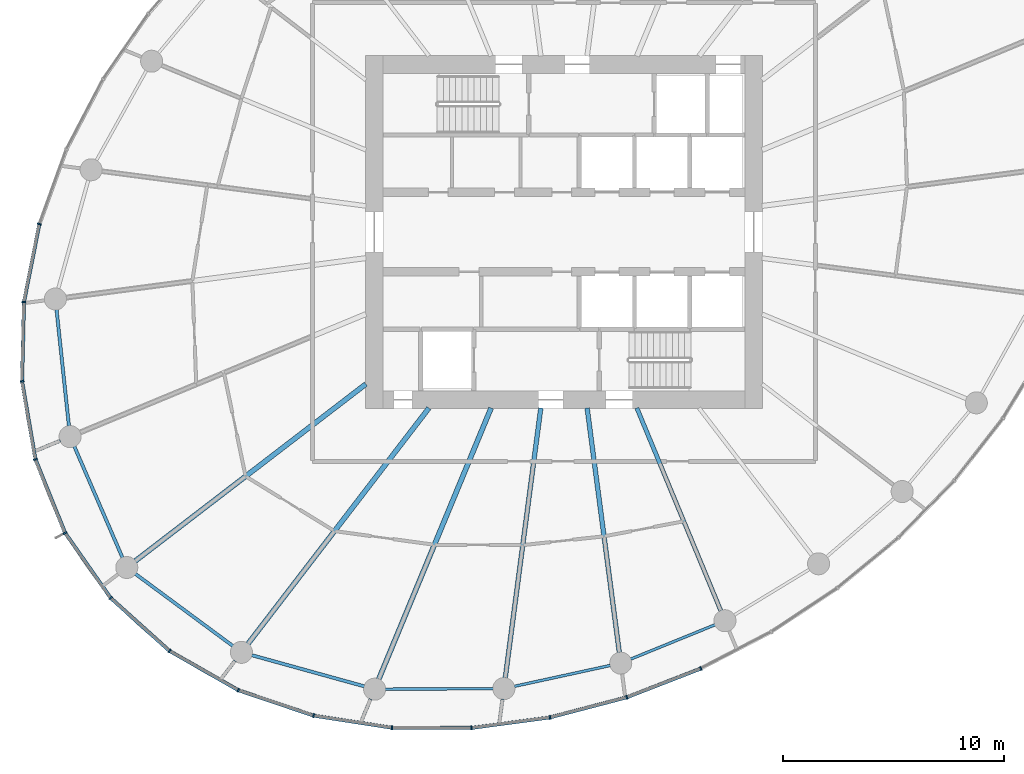
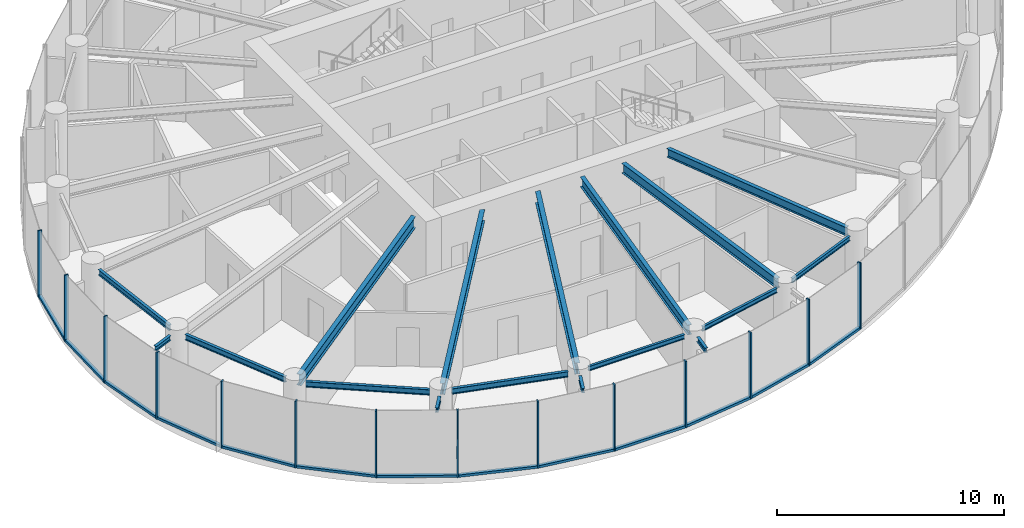
# One storey, part 2 of 15: 27 members, 17 beams, 3 elements without a shape of their own.
"""IFC4 building model written with IfcOpenShell, lengths in metres."""

from ifc_helpers import new_model, si_unit, direction, frame, origin, origin_2d, place, context, subcontext, project, spatial, rectangle, i_section, extrude, source, transform, mapped, material, layer, layer_set, material_profile, profile_set, type_object, element, aggregate, save


model = new_model("IFC4")

# Units and contexts
model_context = context("Model", 3, precision=1e-05, world=origin(), true_north=direction((0.0, 1.0)))
body_context = subcontext(model_context, "Body", "Model", "MODEL_VIEW")
ifc_project = project(units=[si_unit("LENGTHUNIT", "METRE"), si_unit("AREAUNIT", "SQUARE_METRE"), si_unit("VOLUMEUNIT", "CUBIC_METRE"), si_unit("PLANEANGLEUNIT", "RADIAN"), si_unit("MASSUNIT", "GRAM", prefix="KILO")], contexts=[model_context])

# Site, building, storey
site_placement = place(None, origin())
site = spatial("IfcSite", under=ifc_project, at=site_placement, CompositionType="ELEMENT")
building_placement = place(site_placement, origin())
building = spatial("IfcBuilding", under=site, at=building_placement, Name="Spindrift Exchange Tower", CompositionType="ELEMENT")
storey_placement = place(building_placement, frame((0.0, 0.0, 168.199951171875)))
storey = spatial("IfcBuildingStorey", under=building, at=storey_placement, Name="L40", CompositionType="ELEMENT", Elevation=168.199951171875)

# Beams
ifc_material_1 = material(Name="Steel Grade 300", Category="steel")
ifc_material_profile_1 = material_profile(ifc_material_1, i_section(OverallWidth=0.14892578125, OverallDepth=0.298095703125, WebThickness=0.005615234375, FlangeThickness=0.008056640625, FilletRadius=0.012939453125, at=origin_2d()), Name="310UB32.0")
ifc_profile_set_1 = profile_set([ifc_material_profile_1], Name="Steel Grade 300")
beam_type_1 = type_object("IfcBeamType", Name="Edge Beam 310UB32.0 Steel Grade 300", PredefinedType="SPANDREL", material=ifc_profile_set_1)
shared_shape_1 = source(origin(), body_context, "Body", "SweptSolid", [
    extrude(i_section(OverallWidth=0.14892578125, OverallDepth=0.298095703125, WebThickness=0.005615234375, FlangeThickness=0.008056640625, FilletRadius=0.012939453125, at=origin_2d()), origin(), (0.0, 0.0, 1.0), 5.31640625),
])
beam_1_placement = place(storey_placement, frame((28.989013671875, 44.486572265625, 3.43115234375), z_axis=(0.10598990948, -0.994367205357, 0.0), x_axis=(0.994367205357, 0.10598990948, 0.0)))
element("IfcBeam", 1, at=beam_1_placement, inside=storey, type_object=beam_type_1, Name="L40 edge beam E13", PredefinedType="SPANDREL", context=body_context, shape_type="MappedRepresentation", body=[
    mapped(shared_shape_1, transform((0.0, 0.0, 0.0), scale=1.0)),
])
shared_shape_2 = source(origin(), body_context, "Body", "SweptSolid", [
    extrude(i_section(OverallWidth=0.14892578125, OverallDepth=0.298095703125, WebThickness=0.005615234375, FlangeThickness=0.008056640625, FilletRadius=0.012939453125, at=origin_2d()), origin(), (0.0, 0.0, 1.0), 5.508544921875),
])
beam_2_placement = place(storey_placement, frame((29.794189453125, 38.282470703125, 3.43115234375), z_axis=(0.397414644433, -0.917639144975, 0.0), x_axis=(0.917639144975, 0.397414644433, 0.0)))
element("IfcBeam", 2, at=beam_2_placement, inside=storey, type_object=beam_type_1, Name="L40 edge beam E14", PredefinedType="SPANDREL", context=body_context, shape_type="MappedRepresentation", body=[
    mapped(shared_shape_2, transform((0.0, 0.0, 0.0), scale=1.0)),
])
shared_shape_3 = source(origin(), body_context, "Body", "SweptSolid", [
    extrude(i_section(OverallWidth=0.14892578125, OverallDepth=0.298095703125, WebThickness=0.005615234375, FlangeThickness=0.008056640625, FilletRadius=0.012939453125, at=origin_2d()), origin(), (0.0, 0.0, 1.0), 5.509033203125),
])
beam_3_placement = place(storey_placement, frame((32.56005859375, 32.501708984375, 3.43115234375), z_axis=(0.803991901791, -0.594640245741, 0.0), x_axis=(0.594640245741, 0.803991901791, 0.0)))
element("IfcBeam", 3, at=beam_3_placement, inside=storey, type_object=beam_type_1, Name="L40 edge beam E15", PredefinedType="SPANDREL", context=body_context, shape_type="MappedRepresentation", body=[
    mapped(shared_shape_3, transform((0.0, 0.0, 0.0), scale=1.0)),
])
shared_shape_4 = source(origin(), body_context, "Body", "SweptSolid", [
    extrude(i_section(OverallWidth=0.14892578125, OverallDepth=0.298095703125, WebThickness=0.005615234375, FlangeThickness=0.008056640625, FilletRadius=0.012939453125, at=origin_2d()), origin(), (0.0, 0.0, 1.0), 5.30517578125),
])
beam_4_placement = place(storey_placement, frame((37.837646484375, 28.8125, 3.43115234375), z_axis=(0.963757513624, -0.26677978734, 0.0), x_axis=(0.26677978734, 0.963757513624, 0.0)))
element("IfcBeam", 4, at=beam_4_placement, inside=storey, type_object=beam_type_1, Name="L40 edge beam E16", PredefinedType="SPANDREL", context=body_context, shape_type="MappedRepresentation", body=[
    mapped(shared_shape_4, transform((0.0, 0.0, 0.0), scale=1.0)),
])
ifc_material_profile_2 = material_profile(ifc_material_1, i_section(OverallWidth=0.1240234375, OverallDepth=0.248046875, WebThickness=0.0048828125, FlangeThickness=0.008056640625, FilletRadius=0.011962890625, at=origin_2d()), Name="250UB25.7")
ifc_profile_set_2 = profile_set([ifc_material_profile_2], Name="Steel Grade 300")
beam_type_2 = type_object("IfcBeamType", Name="Edge Beam 250UB25.7 Steel Grade 300", PredefinedType="SPANDREL", material=ifc_profile_set_2)
shared_shape_5 = source(origin(), body_context, "Body", "SweptSolid", [
    extrude(i_section(OverallWidth=0.1240234375, OverallDepth=0.248046875, WebThickness=0.0048828125, FlangeThickness=0.008056640625, FilletRadius=0.011962890625, at=origin_2d()), origin(), (0.0, 0.0, 1.0), 4.901123046875),
])
beam_5_placement = place(storey_placement, frame((43.89306640625, 27.271240234375, 3.4560546875), z_axis=(0.999990609444, 0.004333707747, 0.0), x_axis=(-0.004333707747, 0.999990609444, 0.0)))
element("IfcBeam", 5, at=beam_5_placement, inside=storey, type_object=beam_type_2, Name="L40 edge beam E17", PredefinedType="SPANDREL", context=body_context, shape_type="MappedRepresentation", body=[
    mapped(shared_shape_5, transform((0.0, 0.0, 0.0), scale=1.0)),
])
shared_shape_6 = source(origin(), body_context, "Body", "SweptSolid", [
    extrude(i_section(OverallWidth=0.1240234375, OverallDepth=0.248046875, WebThickness=0.0048828125, FlangeThickness=0.008056640625, FilletRadius=0.011962890625, at=origin_2d()), origin(), (0.0, 0.0, 1.0), 4.464111328125),
])
beam_6_placement = place(storey_placement, frame((49.7431640625, 27.396728515625, 3.4560546875), z_axis=(0.977095837978, 0.212799726048, 0.0), x_axis=(-0.212799726048, 0.977095837978, 0.0)))
element("IfcBeam", 6, at=beam_6_placement, inside=storey, type_object=beam_type_2, Name="L40 edge beam E18", PredefinedType="SPANDREL", context=body_context, shape_type="MappedRepresentation", body=[
    mapped(shared_shape_6, transform((0.0, 0.0, 0.0), scale=1.0)),
])
shared_shape_7 = source(origin(), body_context, "Body", "SweptSolid", [
    extrude(i_section(OverallWidth=0.1240234375, OverallDepth=0.248046875, WebThickness=0.0048828125, FlangeThickness=0.008056640625, FilletRadius=0.011962890625, at=origin_2d()), origin(), (0.0, 0.0, 1.0), 4.143798828125),
])
beam_7_placement = place(storey_placement, frame((55.0185546875, 28.6298828125, 3.4560546875), z_axis=(0.926113706975, 0.377244485385, 0.0), x_axis=(-0.377244485385, 0.926113706975, 0.0)))
element("IfcBeam", 7, at=beam_7_placement, inside=storey, type_object=beam_type_2, Name="L40 edge beam E19", PredefinedType="SPANDREL", context=body_context, shape_type="MappedRepresentation", body=[
    mapped(shared_shape_7, transform((0.0, 0.0, 0.0), scale=1.0)),
])
ifc_material_profile_3 = material_profile(ifc_material_1, i_section(OverallWidth=0.22802734375, OverallDepth=0.60205078125, WebThickness=0.010498046875, FlangeThickness=0.014892578125, FilletRadius=0.013916015625, at=origin_2d()), Name="610UB101")
ifc_profile_set_3 = profile_set([ifc_material_profile_3], Name="Steel Grade 300")
beam_type_3 = type_object("IfcBeamType", Name="Floor Beam 610UB101 Steel Grade 300", PredefinedType="BEAM", material=ifc_profile_set_3)
shared_shape_8 = source(origin(), body_context, "Body", "SweptSolid", [
    extrude(i_section(OverallWidth=0.22802734375, OverallDepth=0.60205078125, WebThickness=0.010498046875, FlangeThickness=0.014892578125, FilletRadius=0.013916015625, at=origin_2d()), origin(), (0.0, 0.0, 1.0), 13.185546875),
])
beam_8_placement = place(storey_placement, frame((43.015869140625, 41.106201171875, 3.279052734375), z_axis=(-0.793357156703, -0.608756455332, 0.0), x_axis=(0.608756455332, -0.793357156703, 0.0)))
element("IfcBeam", 8, at=beam_8_placement, inside=storey, type_object=beam_type_3, Name="L40 radial beam R15A", PredefinedType="BEAM", context=body_context, shape_type="MappedRepresentation", body=[
    mapped(shared_shape_8, transform((0.0, 0.0, 0.0), scale=1.0)),
])
shared_shape_9 = source(origin(), body_context, "Body", "SweptSolid", [
    extrude(i_section(OverallWidth=0.22802734375, OverallDepth=0.60205078125, WebThickness=0.010498046875, FlangeThickness=0.014892578125, FilletRadius=0.013916015625, at=origin_2d()), origin(), (0.0, 0.0, 1.0), 13.480224609375),
])
beam_9_placement = place(storey_placement, frame((45.87353515625, 40.015869140625, 3.279052734375), z_axis=(-0.608764179541, -0.793351229726, 0.0), x_axis=(0.793351229726, -0.608764179541, 0.0)))
element("IfcBeam", 9, at=beam_9_placement, inside=storey, type_object=beam_type_3, Name="L40 radial beam R16A", PredefinedType="BEAM", context=body_context, shape_type="MappedRepresentation", body=[
    mapped(shared_shape_9, transform((0.0, 0.0, 0.0), scale=1.0)),
])
shared_shape_10 = source(origin(), body_context, "Body", "SweptSolid", [
    extrude(i_section(OverallWidth=0.22802734375, OverallDepth=0.60205078125, WebThickness=0.010498046875, FlangeThickness=0.014892578125, FilletRadius=0.013916015625, at=origin_2d()), origin(), (0.0, 0.0, 1.0), 13.31982421875),
])
beam_10_placement = place(storey_placement, frame((48.69384765625, 40.0185546875, 3.279052734375), z_axis=(-0.382676632888, -0.923882348918, 0.0), x_axis=(0.923882348918, -0.382676632888, 0.0)))
element("IfcBeam", 10, at=beam_10_placement, inside=storey, type_object=beam_type_3, Name="L40 radial beam R17A", PredefinedType="BEAM", context=body_context, shape_type="MappedRepresentation", body=[
    mapped(shared_shape_10, transform((0.0, 0.0, 0.0), scale=1.0)),
])
ifc_material_profile_4 = material_profile(ifc_material_1, i_section(OverallWidth=0.208984375, OverallDepth=0.528076171875, WebThickness=0.009521484375, FlangeThickness=0.01318359375, FilletRadius=0.013916015625, at=origin_2d()), Name="530UB82.0")
ifc_profile_set_4 = profile_set([ifc_material_profile_4], Name="Steel Grade 300")
beam_type_4 = type_object("IfcBeamType", Name="Floor Beam 530UB82.0 Steel Grade 300", PredefinedType="BEAM", material=ifc_profile_set_4)
shared_shape_11 = source(origin(), body_context, "Body", "SweptSolid", [
    extrude(i_section(OverallWidth=0.208984375, OverallDepth=0.528076171875, WebThickness=0.009521484375, FlangeThickness=0.01318359375, FilletRadius=0.013916015625, at=origin_2d()), origin(), (0.0, 0.0, 1.0), 12.35498046875),
])
beam_11_placement = place(storey_placement, frame((50.949462890625, 40.019775390625, 3.316162109375), z_axis=(-0.130537831721, -0.991443328935, 0.0), x_axis=(0.991443328935, -0.130537831721, 0.0)))
element("IfcBeam", 11, at=beam_11_placement, inside=storey, type_object=beam_type_4, Name="L40 radial beam R18A", PredefinedType="BEAM", context=body_context, shape_type="MappedRepresentation", body=[
    mapped(shared_shape_11, transform((0.0, 0.0, 0.0), scale=1.0)),
])
shared_shape_12 = source(origin(), body_context, "Body", "SweptSolid", [
    extrude(i_section(OverallWidth=0.208984375, OverallDepth=0.528076171875, WebThickness=0.009521484375, FlangeThickness=0.01318359375, FilletRadius=0.013916015625, at=origin_2d()), origin(), (0.0, 0.0, 1.0), 11.19091796875),
])
beam_12_placement = place(storey_placement, frame((53.050537109375, 40.019775390625, 3.316162109375), z_axis=(0.130524489434, -0.991445085548, 0.0), x_axis=(0.991445085548, 0.130524489434, 0.0)))
element("IfcBeam", 12, at=beam_12_placement, inside=storey, type_object=beam_type_4, Name="L40 radial beam R19A", PredefinedType="BEAM", context=body_context, shape_type="MappedRepresentation", body=[
    mapped(shared_shape_12, transform((0.0, 0.0, 0.0), scale=1.0)),
])
ifc_material_profile_5 = material_profile(ifc_material_1, i_section(OverallWidth=0.18994140625, OverallDepth=0.4541015625, WebThickness=0.008544921875, FlangeThickness=0.0126953125, FilletRadius=0.013916015625, at=origin_2d()), Name="460UB67.1")
ifc_profile_set_5 = profile_set([ifc_material_profile_5], Name="Steel Grade 300")
beam_type_5 = type_object("IfcBeamType", Name="Floor Beam 460UB67.1 Steel Grade 300", PredefinedType="BEAM", material=ifc_profile_set_5)
shared_shape_13 = source(origin(), body_context, "Body", "SweptSolid", [
    extrude(i_section(OverallWidth=0.18994140625, OverallDepth=0.4541015625, WebThickness=0.008544921875, FlangeThickness=0.0126953125, FilletRadius=0.013916015625, at=origin_2d()), origin(), (0.0, 0.0, 1.0), 9.958984375),
])
beam_13_placement = place(storey_placement, frame((55.30615234375, 40.0185546875, 3.35302734375), z_axis=(0.382673670509, -0.923883575944, 0.0), x_axis=(0.923883575944, 0.382673670509, 0.0)))
element("IfcBeam", 13, at=beam_13_placement, inside=storey, type_object=beam_type_5, Name="L40 radial beam R20A", PredefinedType="BEAM", context=body_context, shape_type="MappedRepresentation", body=[
    mapped(shared_shape_13, transform((0.0, 0.0, 0.0), scale=1.0)),
])
ifc_material_profile_6 = material_profile(ifc_material_1, i_section(OverallWidth=0.14599609375, OverallDepth=0.251953125, WebThickness=0.006103515625, FlangeThickness=0.008544921875, FilletRadius=0.011962890625, at=origin_2d()), Name="250UB31.4")
ifc_profile_set_6 = profile_set([ifc_material_profile_6], Name="Steel Grade 300")
beam_type_6 = type_object("IfcBeamType", Name="Cantilever Beam 250UB31.4 Steel Grade 300", PredefinedType="BEAM", material=ifc_profile_set_6)
shared_shape_14 = source(origin(), body_context, "Body", "SweptSolid", [
    extrude(i_section(OverallWidth=0.14599609375, OverallDepth=0.251953125, WebThickness=0.006103515625, FlangeThickness=0.008544921875, FilletRadius=0.011962890625, at=origin_2d()), origin(), (0.0, 0.0, 1.0), 1.095458984375),
])
beam_14_placement = place(storey_placement, frame((29.159912109375, 38.539306640625, 3.4541015625), z_axis=(-0.923872851141, -0.382699562222, 0.0), x_axis=(0.382699562222, -0.923872851141, 0.0)))
element("IfcBeam", 14, at=beam_14_placement, inside=storey, type_object=beam_type_6, Name="L40 cantilever beam R14T", PredefinedType="BEAM", context=body_context, shape_type="MappedRepresentation", body=[
    mapped(shared_shape_14, transform((0.0, 0.0, 0.0), scale=1.0)),
])
shared_shape_15 = source(origin(), body_context, "Body", "SweptSolid", [
    extrude(i_section(OverallWidth=0.14599609375, OverallDepth=0.251953125, WebThickness=0.006103515625, FlangeThickness=0.008544921875, FilletRadius=0.011962890625, at=origin_2d()), origin(), (0.0, 0.0, 1.0), 0.93408203125),
])
beam_15_placement = place(storey_placement, frame((37.0830078125, 28.559814453125, 3.4541015625), z_axis=(-0.608788178912, -0.793332813652, 0.0), x_axis=(0.793332813652, -0.608788178912, 0.0)))
element("IfcBeam", 15, at=beam_15_placement, inside=storey, type_object=beam_type_6, Name="L40 cantilever beam R16T", PredefinedType="BEAM", context=body_context, shape_type="MappedRepresentation", body=[
    mapped(shared_shape_15, transform((0.0, 0.0, 0.0), scale=1.0)),
])
shared_shape_16 = source(origin(), body_context, "Body", "SweptSolid", [
    extrude(i_section(OverallWidth=0.14599609375, OverallDepth=0.251953125, WebThickness=0.006103515625, FlangeThickness=0.008544921875, FilletRadius=0.011962890625, at=origin_2d()), origin(), (0.0, 0.0, 1.0), 1.010009765625),
])
beam_16_placement = place(storey_placement, frame((43.229248046875, 26.82568359375, 3.4541015625), z_axis=(-0.38265779885, -0.923890149844, 0.0), x_axis=(0.923890149844, -0.38265779885, 0.0)))
element("IfcBeam", 16, at=beam_16_placement, inside=storey, type_object=beam_type_6, Name="L40 cantilever beam R17T", PredefinedType="BEAM", context=body_context, shape_type="MappedRepresentation", body=[
    mapped(shared_shape_16, transform((0.0, 0.0, 0.0), scale=1.0)),
])
shared_shape_17 = source(origin(), body_context, "Body", "SweptSolid", [
    extrude(i_section(OverallWidth=0.14599609375, OverallDepth=0.251953125, WebThickness=0.006103515625, FlangeThickness=0.008544921875, FilletRadius=0.011962890625, at=origin_2d()), origin(), (0.0, 0.0, 1.0), 0.966796875),
])
beam_17_placement = place(storey_placement, frame((49.21142578125, 26.81884765625, 3.4541015625), z_axis=(-0.130559031548, -0.991440537441, 0.0), x_axis=(0.991440537441, -0.130559031548, 0.0)))
element("IfcBeam", 17, at=beam_17_placement, inside=storey, type_object=beam_type_6, Name="L40 cantilever beam R18T", PredefinedType="BEAM", context=body_context, shape_type="MappedRepresentation", body=[
    mapped(shared_shape_17, transform((0.0, 0.0, 0.0), scale=1.0)),
])

# Curtain wall, members
ifc_material_2 = material(Name="Fritted laminated glass with bronze frame", Category="glass")
ifc_layer = layer(ifc_material_2, 0.179931640625)
ifc_layer_set = layer_set([ifc_layer], Name="ZONE 3 BRONZE FRITTED WALL")
curtain_wall_type = type_object("IfcCurtainWallType", Name="ZONE 3 BRONZE FRITTED WALL", PredefinedType="NOTDEFINED", material=ifc_layer_set)
curtain_wall_1_placement = place(storey_placement, origin())
curtain_wall_1 = element("IfcCurtainWall", 18, at=curtain_wall_1_placement, inside=storey, type_object=curtain_wall_type, Name="L40 Zone 3 Bronze Fritted Wall run 5", PredefinedType="NOTDEFINED")
ifc_material_3 = material(Name="Bronze anodised aluminium", Category="aluminium")
ifc_material_profile_7 = material_profile(ifc_material_3, rectangle(XDim=0.159912109375, YDim=0.1298828125, at=origin_2d()), Name="ZONE 3 BRONZE FRITTED WALL TRANSOM 160X130")
ifc_profile_set_7 = profile_set([ifc_material_profile_7], Name="Bronze anodised aluminium")
member_type_1 = type_object("IfcMemberType", Name="ZONE 3 BRONZE FRITTED WALL TRANSOM 160X130", PredefinedType="USERDEFINED", material=ifc_profile_set_7)
shared_shape_18 = source(origin(), body_context, "Body", "SweptSolid", [
    extrude(rectangle(XDim=0.159912109375, YDim=0.1298828125, at=origin_2d()), origin(), (0.0, 0.0, 1.0), 3.531005859375),
])
member_1_placement = place(storey_placement, frame((54.8837890625, 26.91455078125, 0.06494140625), z_axis=(0.932191401719, 0.361965731197, 0.0), x_axis=(-0.361965731197, 0.932191401719, 0.0)))
member_1 = element("IfcMember", 19, at=member_1_placement, type_object=member_type_1, Name="L40 transom CW-3.29", ObjectType="TRANSOM", PredefinedType="USERDEFINED", context=body_context, shape_type="MappedRepresentation", body=[
    mapped(shared_shape_18, transform((0.0, 0.0, 0.0), scale=1.0)),
])
shared_shape_19 = source(origin(), body_context, "Body", "SweptSolid", [
    extrude(rectangle(XDim=0.159912109375, YDim=0.1298828125, at=origin_2d()), origin(), (0.0, 0.0, 1.0), 3.5302734375),
])
member_2_placement = place(storey_placement, frame((47.83447265625, 25.517333984375, 0.06494140625), z_axis=(0.991172850942, 0.132575938826, 0.0), x_axis=(-0.132575938826, 0.991172850942, 0.0)))
member_2 = element("IfcMember", 20, at=member_2_placement, type_object=member_type_1, Name="L40 transom CW-3.27", ObjectType="TRANSOM", PredefinedType="USERDEFINED", context=body_context, shape_type="MappedRepresentation", body=[
    mapped(shared_shape_19, transform((0.0, 0.0, 0.0), scale=1.0)),
])
member_3_placement = place(storey_placement, frame((51.402099609375, 25.998779296875, 0.06494140625), z_axis=(0.967402483042, 0.253243826785, 0.0), x_axis=(-0.253243826785, 0.967402483042, 0.0)))
member_3 = element("IfcMember", 21, at=member_3_placement, type_object=member_type_1, Name="L40 transom CW-3.28", ObjectType="TRANSOM", PredefinedType="USERDEFINED", context=body_context, shape_type="MappedRepresentation", body=[
    mapped(shared_shape_19, transform((0.0, 0.0, 0.0), scale=1.0)),
])
shared_shape_20 = source(origin(), body_context, "Body", "SweptSolid", [
    extrude(rectangle(XDim=0.159912109375, YDim=0.1298828125, at=origin_2d()), origin(), (0.0, 0.0, 1.0), 3.52880859375),
])
member_4_placement = place(storey_placement, frame((40.6787109375, 26.067138671875, 0.06494140625), z_axis=(0.988198292077, -0.15318007552, 0.0), x_axis=(0.15318007552, 0.988198292077, 0.0)))
member_4 = element("IfcMember", 22, at=member_4_placement, type_object=member_type_1, Name="L40 transom CW-3.25", ObjectType="TRANSOM", PredefinedType="USERDEFINED", context=body_context, shape_type="MappedRepresentation", body=[
    mapped(shared_shape_20, transform((0.0, 0.0, 0.0), scale=1.0)),
])

curtain_wall_2_placement = place(storey_placement, origin())
curtain_wall_2 = element("IfcCurtainWall", 23, at=curtain_wall_2_placement, inside=storey, type_object=curtain_wall_type, Name="L40 Zone 3 Bronze Fritted Wall run 4", PredefinedType="NOTDEFINED")
shared_shape_21 = source(origin(), body_context, "Body", "SweptSolid", [
    extrude(rectangle(XDim=0.159912109375, YDim=0.1298828125, at=origin_2d()), origin(), (0.0, 0.0, 1.0), 3.5263671875),
])
member_5_placement = place(storey_placement, frame((34.14208984375, 28.987060546875, 0.06494140625), z_axis=(0.868451827721, -0.495773560133, 0.0), x_axis=(0.495773560133, 0.868451827721, 0.0)))
member_5 = element("IfcMember", 24, at=member_5_placement, type_object=member_type_1, Name="L40 transom CW-3.23", ObjectType="TRANSOM", PredefinedType="USERDEFINED", context=body_context, shape_type="MappedRepresentation", body=[
    mapped(shared_shape_21, transform((0.0, 0.0, 0.0), scale=1.0)),
])
shared_shape_22 = source(origin(), body_context, "Body", "SweptSolid", [
    extrude(rectangle(XDim=0.159912109375, YDim=0.1298828125, at=origin_2d()), origin(), (0.0, 0.0, 1.0), 3.52490234375),
])
member_6_placement = place(storey_placement, frame((28.044921875, 37.655029296875, 0.06494140625), z_axis=(0.374421823316, -0.927258485119, 0.0), x_axis=(0.927258485119, 0.374421823316, 0.0)))
member_6 = element("IfcMember", 25, at=member_6_placement, type_object=member_type_1, Name="L40 transom CW-3.20", ObjectType="TRANSOM", PredefinedType="USERDEFINED", context=body_context, shape_type="MappedRepresentation", body=[
    mapped(shared_shape_22, transform((0.0, 0.0, 0.0), scale=1.0)),
])
shared_shape_23 = source(origin(), body_context, "Body", "SweptSolid", [
    extrude(rectangle(XDim=0.159912109375, YDim=0.1298828125, at=origin_2d()), origin(), (0.0, 0.0, 1.0), 3.525146484375),
])
member_7_placement = place(storey_placement, frame((31.465576171875, 31.385986328125, 0.06494140625), z_axis=(0.743287258575, -0.668972384512, 0.0), x_axis=(0.668972384512, 0.743287258575, 0.0)))
member_7 = element("IfcMember", 26, at=member_7_placement, type_object=member_type_1, Name="L40 transom CW-3.22", ObjectType="TRANSOM", PredefinedType="USERDEFINED", context=body_context, shape_type="MappedRepresentation", body=[
    mapped(shared_shape_23, transform((0.0, 0.0, 0.0), scale=1.0)),
])

curtain_wall_3_placement = place(storey_placement, origin())
curtain_wall_3 = element("IfcCurtainWall", 27, at=curtain_wall_3_placement, inside=storey, type_object=curtain_wall_type, Name="L40 Zone 3 Bronze Fritted Wall run 3", PredefinedType="NOTDEFINED")
ifc_material_profile_8 = material_profile(ifc_material_3, rectangle(XDim=0.070068359375, YDim=0.179931640625, at=origin_2d()), Name="ZONE 3 BRONZE FRITTED WALL MULLION 70X180")
ifc_profile_set_8 = profile_set([ifc_material_profile_8], Name="Bronze anodised aluminium")
member_type_2 = type_object("IfcMemberType", Name="ZONE 3 BRONZE FRITTED WALL MULLION 70X180", PredefinedType="MULLION", material=ifc_profile_set_8)
shared_shape_24 = source(origin(), body_context, "Body", "SweptSolid", [
    extrude(rectangle(XDim=0.070068359375, YDim=0.179931640625, at=origin_2d()), origin(), (0.0, 0.0, 1.0), 3.580078125),
])
member_8_placement = place(storey_placement, frame((28.209228515625, 48.35888671875, 0.0), z_axis=(0.0, 0.0, 1.0), x_axis=(-0.267685767176, -0.963506268818, 0.0)))
member_8 = element("IfcMember", 28, at=member_8_placement, type_object=member_type_2, Name="L40 mullion CW-3.17", PredefinedType="MULLION", context=body_context, shape_type="MappedRepresentation", body=[
    mapped(shared_shape_24, transform((0.0, 0.0, 0.0), scale=1.0)),
])
member_9_placement = place(storey_placement, frame((27.510986328125, 44.82861328125, 0.0), z_axis=(0.0, 0.0, 1.0), x_axis=(-0.10940505426, -0.993997250551, 0.0)))
member_9 = element("IfcMember", 29, at=member_9_placement, type_object=member_type_2, Name="L40 mullion CW-3.18", PredefinedType="MULLION", context=body_context, shape_type="MappedRepresentation", body=[
    mapped(shared_shape_24, transform((0.0, 0.0, 0.0), scale=1.0)),
])

# Member
member_10_placement = place(storey_placement, frame((27.4248046875, 41.232177734375, 0.0), z_axis=(0.0, 0.0, 1.0), x_axis=(0.072755065044, -0.997349838577, 0.0)))
member_10 = element("IfcMember", 30, at=member_10_placement, type_object=member_type_2, Name="L40 mullion CW-3.19", PredefinedType="MULLION", context=body_context, shape_type="MappedRepresentation", body=[
    mapped(shared_shape_24, transform((0.0, 0.0, 0.0), scale=1.0)),
])

member_11_placement = place(storey_placement, frame((28.03173828125, 37.6875, 0.0), z_axis=(0.0, 0.0, 1.0), x_axis=(0.273171729389, -0.961965283294, 0.0)))
member_11 = element("IfcMember", 31, at=member_11_placement, type_object=member_type_2, Name="L40 mullion CW-3.20", PredefinedType="MULLION", context=body_context, shape_type="MappedRepresentation", body=[
    mapped(shared_shape_24, transform((0.0, 0.0, 0.0), scale=1.0)),
])

member_12_placement = place(storey_placement, frame((29.377685546875, 34.35400390625, 0.0), z_axis=(0.0, 0.0, 1.0), x_axis=(0.47706930889, -0.878865674899, 0.0)))
member_12 = element("IfcMember", 32, at=member_12_placement, type_object=member_type_2, Name="L40 mullion CW-3.21", PredefinedType="MULLION", context=body_context, shape_type="MappedRepresentation", body=[
    mapped(shared_shape_24, transform((0.0, 0.0, 0.0), scale=1.0)),
])

member_13_placement = place(storey_placement, frame((31.439697265625, 31.4091796875, 0.0), z_axis=(0.0, 0.0, 1.0), x_axis=(0.662692450368, -0.748891658536, 0.0)))
member_13 = element("IfcMember", 33, at=member_13_placement, type_object=member_type_2, Name="L40 mullion CW-3.22", PredefinedType="MULLION", context=body_context, shape_type="MappedRepresentation", body=[
    mapped(shared_shape_24, transform((0.0, 0.0, 0.0), scale=1.0)),
])

member_14_placement = place(storey_placement, frame((34.11181640625, 29.00439453125, 0.0), z_axis=(0.0, 0.0, 1.0), x_axis=(0.810523741259, -0.585705783526, 0.0)))
member_14 = element("IfcMember", 34, at=member_14_placement, type_object=member_type_2, Name="L40 mullion CW-3.23", PredefinedType="MULLION", context=body_context, shape_type="MappedRepresentation", body=[
    mapped(shared_shape_24, transform((0.0, 0.0, 0.0), scale=1.0)),
])

member_15_placement = place(storey_placement, frame((37.235107421875, 27.221435546875, 0.0), z_axis=(0.0, 0.0, 1.0), x_axis=(0.912318353787, -0.409481649581, 0.0)))
member_15 = element("IfcMember", 35, at=member_15_placement, type_object=member_type_2, Name="L40 mullion CW-3.24", PredefinedType="MULLION", context=body_context, shape_type="MappedRepresentation", body=[
    mapped(shared_shape_24, transform((0.0, 0.0, 0.0), scale=1.0)),
])

member_16_placement = place(storey_placement, frame((40.644287109375, 26.072509765625, 0.0), z_axis=(0.0, 0.0, 1.0), x_axis=(0.971470740381, -0.237159441269, 0.0)))
member_16 = element("IfcMember", 36, at=member_16_placement, type_object=member_type_2, Name="L40 mullion CW-3.25", PredefinedType="MULLION", context=body_context, shape_type="MappedRepresentation", body=[
    mapped(shared_shape_24, transform((0.0, 0.0, 0.0), scale=1.0)),
])

member_17_placement = place(storey_placement, frame((44.200439453125, 25.521240234375, 0.0), z_axis=(0.0, 0.0, 1.0), x_axis=(0.996954291191, -0.077988084191, 0.0)))
member_17 = element("IfcMember", 37, at=member_17_placement, type_object=member_type_2, Name="L40 mullion CW-3.26", PredefinedType="MULLION", context=body_context, shape_type="MappedRepresentation", body=[
    mapped(shared_shape_24, transform((0.0, 0.0, 0.0), scale=1.0)),
])

member_18_placement = place(storey_placement, frame((47.7998046875, 25.5126953125, 0.0), z_axis=(0.0, 0.0, 1.0), x_axis=(0.997869270043, 0.065245075698, 0.0)))
member_18 = element("IfcMember", 38, at=member_18_placement, type_object=member_type_2, Name="L40 mullion CW-3.27", PredefinedType="MULLION", context=body_context, shape_type="MappedRepresentation", body=[
    mapped(shared_shape_24, transform((0.0, 0.0, 0.0), scale=1.0)),
])

member_19_placement = place(storey_placement, frame((51.3681640625, 25.989990234375, 0.0), z_axis=(0.0, 0.0, 1.0), x_axis=(0.981143339741, 0.193281522351, 0.0)))
member_19 = element("IfcMember", 39, at=member_19_placement, type_object=member_type_2, Name="L40 mullion CW-3.28", PredefinedType="MULLION", context=body_context, shape_type="MappedRepresentation", body=[
    mapped(shared_shape_24, transform((0.0, 0.0, 0.0), scale=1.0)),
])

member_20_placement = place(storey_placement, frame((54.851318359375, 26.90185546875, 0.0), z_axis=(0.0, 0.0, 1.0), x_axis=(0.951344044145, 0.308130669797, 0.0)))
member_20 = element("IfcMember", 40, at=member_20_placement, type_object=member_type_2, Name="L40 mullion CW-3.29", PredefinedType="MULLION", context=body_context, shape_type="MappedRepresentation", body=[
    mapped(shared_shape_24, transform((0.0, 0.0, 0.0), scale=1.0)),
])

member_21_placement = place(storey_placement, frame((58.207763671875, 28.205078125, 0.0), z_axis=(0.0, 0.0, 1.0), x_axis=(0.91115229158, 0.412069777523, 0.0)))
member_21 = element("IfcMember", 41, at=member_21_placement, type_object=member_type_2, Name="L40 mullion CW-3.30", PredefinedType="MULLION", context=body_context, shape_type="MappedRepresentation", body=[
    mapped(shared_shape_24, transform((0.0, 0.0, 0.0), scale=1.0)),
])

shared_shape_25 = source(origin(), body_context, "Body", "SweptSolid", [
    extrude(rectangle(XDim=0.159912109375, YDim=0.1298828125, at=origin_2d()), origin(), (0.0, 0.0, 1.0), 3.529541015625),
])
member_22_placement = place(storey_placement, frame((44.2353515625, 25.52099609375, 0.06494140625), z_axis=(0.999997234525, -0.002351795391, 0.0), x_axis=(0.002351795391, 0.999997234525, 0.0)))
member_22 = element("IfcMember", 42, at=member_22_placement, type_object=member_type_1, Name="L40 transom CW-3.26", ObjectType="TRANSOM", PredefinedType="USERDEFINED", context=body_context, shape_type="MappedRepresentation", body=[
    mapped(shared_shape_25, transform((0.0, 0.0, 0.0), scale=1.0)),
])

aggregate(curtain_wall_1, [member_16, member_4, member_17, member_22, member_18, member_2, member_19, member_3, member_20, member_1, member_21])

shared_shape_26 = source(origin(), body_context, "Body", "SweptSolid", [
    extrude(rectangle(XDim=0.159912109375, YDim=0.1298828125, at=origin_2d()), origin(), (0.0, 0.0, 1.0), 3.524658203125),
])
member_23_placement = place(storey_placement, frame((29.39794921875, 34.3251953125, 0.06494140625), z_axis=(0.573546021853, -0.819173339908, 0.0), x_axis=(0.819173339908, 0.573546021853, 0.0)))
member_23 = element("IfcMember", 43, at=member_23_placement, type_object=member_type_1, Name="L40 transom CW-3.21", ObjectType="TRANSOM", PredefinedType="USERDEFINED", context=body_context, shape_type="MappedRepresentation", body=[
    mapped(shared_shape_26, transform((0.0, 0.0, 0.0), scale=1.0)),
])

shared_shape_27 = source(origin(), body_context, "Body", "SweptSolid", [
    extrude(rectangle(XDim=0.159912109375, YDim=0.1298828125, at=origin_2d()), origin(), (0.0, 0.0, 1.0), 3.527587890625),
])
member_24_placement = place(storey_placement, frame((27.510009765625, 44.793701171875, 0.06494140625), z_axis=(-0.023946056436, -0.999713252078, 0.0), x_axis=(0.999713252078, -0.023946056436, 0.0)))
member_24 = element("IfcMember", 44, at=member_24_placement, type_object=member_type_1, Name="L40 transom CW-3.18", ObjectType="TRANSOM", PredefinedType="USERDEFINED", context=body_context, shape_type="MappedRepresentation", body=[
    mapped(shared_shape_27, transform((0.0, 0.0, 0.0), scale=1.0)),
])

member_25_placement = place(storey_placement, frame((37.268310546875, 27.210205078125, 0.06494140625), z_axis=(0.947619071054, -0.319402717858, 0.0), x_axis=(0.319402717858, 0.947619071054, 0.0)))
member_25 = element("IfcMember", 45, at=member_25_placement, type_object=member_type_1, Name="L40 transom CW-3.24", ObjectType="TRANSOM", PredefinedType="USERDEFINED", context=body_context, shape_type="MappedRepresentation", body=[
    mapped(shared_shape_27, transform((0.0, 0.0, 0.0), scale=1.0)),
])

shared_shape_28 = source(origin(), body_context, "Body", "SweptSolid", [
    extrude(rectangle(XDim=0.159912109375, YDim=0.1298828125, at=origin_2d()), origin(), (0.0, 0.0, 1.0), 3.526123046875),
])
member_26_placement = place(storey_placement, frame((27.4306640625, 41.197509765625, 0.06494140625), z_axis=(0.168798545635, -0.98565057246, 0.0), x_axis=(0.98565057246, 0.168798545635, 0.0)))
member_26 = element("IfcMember", 46, at=member_26_placement, type_object=member_type_1, Name="L40 transom CW-3.19", ObjectType="TRANSOM", PredefinedType="USERDEFINED", context=body_context, shape_type="MappedRepresentation", body=[
    mapped(shared_shape_28, transform((0.0, 0.0, 0.0), scale=1.0)),
])

aggregate(curtain_wall_2, [member_10, member_26, member_11, member_6, member_12, member_23, member_13, member_7, member_14, member_5, member_15, member_25])

shared_shape_29 = source(origin(), body_context, "Body", "SweptSolid", [
    extrude(rectangle(XDim=0.159912109375, YDim=0.1298828125, at=origin_2d()), origin(), (0.0, 0.0, 1.0), 3.528564453125),
])
member_27_placement = place(storey_placement, frame((28.202392578125, 48.324462890625, 0.06494140625), z_axis=(-0.194079909237, -0.980985723051, 0.0), x_axis=(0.980985723051, -0.194079909237, 0.0)))
member_27 = element("IfcMember", 47, at=member_27_placement, type_object=member_type_1, Name="L40 transom CW-3.17", ObjectType="TRANSOM", PredefinedType="USERDEFINED", context=body_context, shape_type="MappedRepresentation", body=[
    mapped(shared_shape_29, transform((0.0, 0.0, 0.0), scale=1.0)),
])

aggregate(curtain_wall_3, [member_8, member_27, member_9, member_24])

save(model, "model.ifc")
